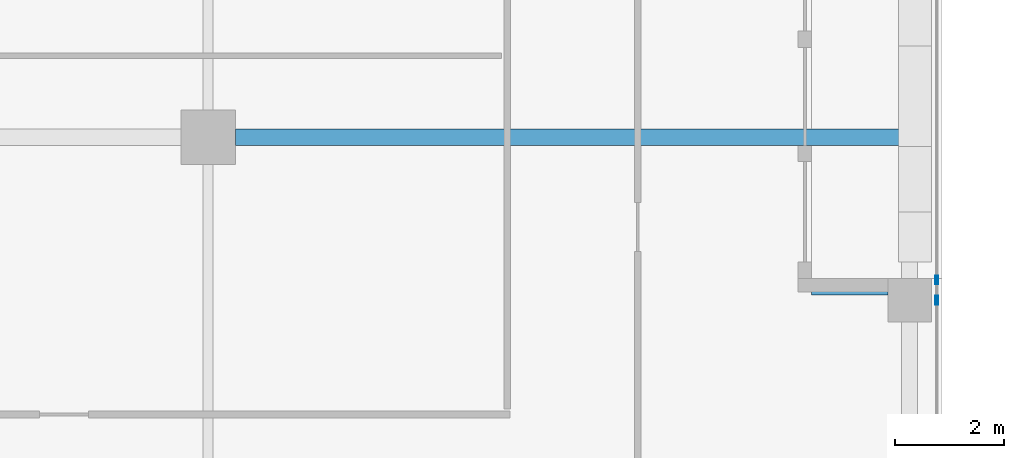
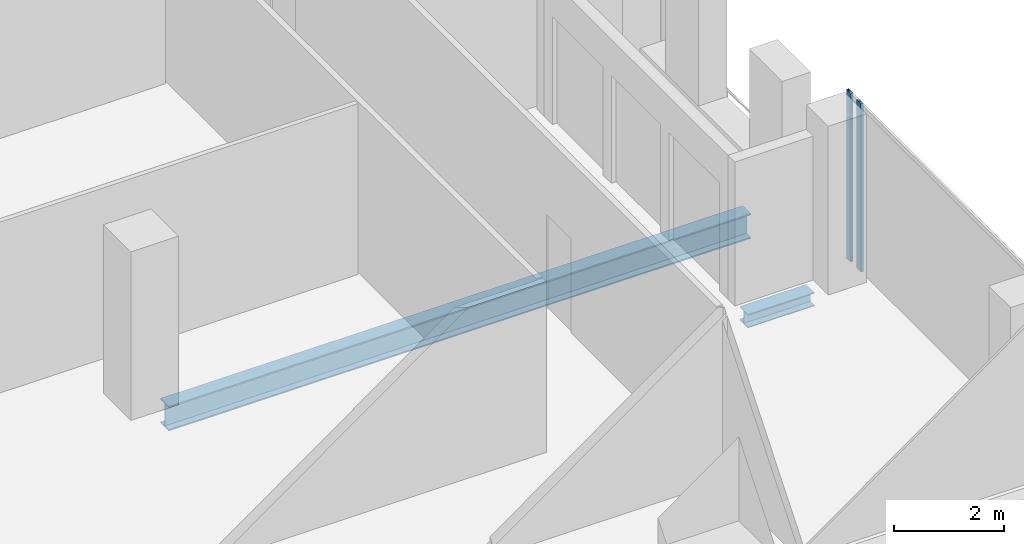
# One storey, part 9 of 29: 2 beams, 2 members, 1 element without a shape of its own.
"""IFC4 building model written with IfcOpenShell, lengths in metres."""

from ifc_helpers import new_model, si_unit, direction, frame, origin, origin_2d, place, context, subcontext, project, spatial, hollow_rectangle, i_section, extrude, source, transform, mapped, material, material_profile, profile_set, type_object, element, aggregate, save


model = new_model("IFC4")

# Units and contexts
model_context = context("Model", 3, precision=1e-05, world=origin(), true_north=direction((0.0, 1.0)))
body_context = subcontext(model_context, "Body", "Model", "MODEL_VIEW")
ifc_project = project(units=[si_unit("LENGTHUNIT", "METRE"), si_unit("AREAUNIT", "SQUARE_METRE"), si_unit("VOLUMEUNIT", "CUBIC_METRE"), si_unit("PLANEANGLEUNIT", "RADIAN"), si_unit("MASSUNIT", "GRAM", prefix="KILO")], contexts=[model_context])

# Site, building, storey
site_placement = place(None, origin())
site = spatial("IfcSite", under=ifc_project, at=site_placement, CompositionType="ELEMENT")
building_placement = place(site_placement, origin())
building = spatial("IfcBuilding", under=site, at=building_placement, Name="Khomas Fold Tower", CompositionType="ELEMENT")
storey_placement = place(building_placement, frame((0.0, 0.0, 286.199951171875)))
storey = spatial("IfcBuildingStorey", under=building, at=storey_placement, Name="L64", CompositionType="ELEMENT", Elevation=286.199951171875)

# Beams
ifc_material_1 = material(Name="Steel S355", Category="steel")
ifc_material_profile_1 = material_profile(ifc_material_1, i_section(OverallWidth=0.300048828125, OverallDepth=0.550048828125, WebThickness=0.014892578125, FlangeThickness=0.029052734375, at=origin_2d()), Name="HE 550 B")
ifc_profile_set_1 = profile_set([ifc_material_profile_1], Name="Steel S355")
beam_type_1 = type_object("IfcBeamType", Name="HE 550 B beam GB4", PredefinedType="BEAM", material=ifc_profile_set_1)
shared_shape_1 = source(origin(), body_context, "Body", "SweptSolid", [
    extrude(i_section(OverallWidth=0.300048828125, OverallDepth=0.550048828125, WebThickness=0.014892578125, FlangeThickness=0.029052734375, at=origin_2d()), origin(), (0.0, 0.0, 1.0), 12.25),
])
beam_1_placement = place(storey_placement, frame((35.0, 22.5, -0.52490234375), z_axis=(1.0, 0.0, 0.0), x_axis=(0.0, 1.0, 0.0)))
element("IfcBeam", 1, at=beam_1_placement, inside=storey, type_object=beam_type_1, Name="GB4", PredefinedType="BEAM", context=body_context, shape_type="MappedRepresentation", body=[
    mapped(shared_shape_1, transform((0.0, 0.0, 0.0))),
])
ifc_material_2 = material(Name="Steel S355", Category="steel")
ifc_material_profile_2 = material_profile(ifc_material_2, i_section(OverallWidth=0.300048828125, OverallDepth=0.300048828125, WebThickness=0.010986328125, FlangeThickness=0.01904296875, at=origin_2d()), Name="HE 300 B")
ifc_profile_set_2 = profile_set([ifc_material_profile_2], Name="Steel S355")
beam_type_2 = type_object("IfcBeamType", Name="HE 300 B beam BB1", PredefinedType="BEAM", material=ifc_profile_set_2)
shared_shape_2 = source(origin(), body_context, "Body", "SweptSolid", [
    extrude(i_section(OverallWidth=0.300048828125, OverallDepth=0.300048828125, WebThickness=0.010986328125, FlangeThickness=0.01904296875, at=origin_2d()), origin(), (0.0, 0.0, 1.0), 1.39990234375),
])
beam_2_placement = place(storey_placement, frame((45.60009765625, 19.75, -0.39990234375), z_axis=(1.0, 0.0, 0.0), x_axis=(0.0, 1.0, 0.0)))
element("IfcBeam", 2, at=beam_2_placement, inside=storey, type_object=beam_type_2, Name="BB1", PredefinedType="BEAM", context=body_context, shape_type="MappedRepresentation", body=[
    mapped(shared_shape_2, transform((0.0, 0.0, 0.0))),
])

# Curtain wall, members
ifc_material_3 = material(Name="Aluminium framed double glazing", Category="aluminium")
curtain_wall_type = type_object("IfcCurtainWallType", Name="SK-Unitised clear-glass wall, upper floors CW3", PredefinedType="NOTDEFINED", material=ifc_material_3)
curtain_wall_placement = place(storey_placement, origin())
curtain_wall = element("IfcCurtainWall", 3, at=curtain_wall_placement, inside=storey, type_object=curtain_wall_type, Name="CW3 run L64 03-0", PredefinedType="NOTDEFINED")
ifc_material_4 = material(Name="Aluminium", Category="aluminium")
ifc_material_profile_3 = material_profile(ifc_material_4, hollow_rectangle(XDim=0.050048828125, YDim=0.159912109375, WallThickness=0.00390625, at=origin_2d()), Name="SK-Unitised clear-glass wall, upper floors mullion CW3-M")
ifc_profile_set_3 = profile_set([ifc_material_profile_3], Name="Aluminium")
member_type = type_object("IfcMemberType", Name="SK-Unitised clear-glass wall, upper floors mullion CW3-M", PredefinedType="MULLION", material=ifc_profile_set_3)
shared_shape_3 = source(origin(), body_context, "Body", "SweptSolid", [
    extrude(hollow_rectangle(XDim=0.050048828125, YDim=0.159912109375, WallThickness=0.00390625, at=origin_2d()), origin(), (0.0, 0.0, 1.0), 3.75),
])
member_1_placement = place(storey_placement, frame((47.89990234375, 19.5, 0.0), z_axis=(0.0, 0.0, 1.0), x_axis=(-1.0, 0.0, 0.0)))
member_1 = element("IfcMember", 4, at=member_1_placement, type_object=member_type, Name="CW3 mullion 3", PredefinedType="MULLION", context=body_context, shape_type="MappedRepresentation", body=[
    mapped(shared_shape_3, transform((0.0, 0.0, 0.0))),
])
member_2_placement = place(storey_placement, frame((47.89990234375, 19.875, 0.0), z_axis=(0.0, 0.0, 1.0), x_axis=(-1.0, 0.0, 0.0)))
member_2 = element("IfcMember", 5, at=member_2_placement, type_object=member_type, Name="CW3 mullion 4", PredefinedType="MULLION", context=body_context, shape_type="MappedRepresentation", body=[
    mapped(shared_shape_3, transform((0.0, 0.0, 0.0))),
])
aggregate(curtain_wall, [member_1, member_2])

save(model, "model.ifc")
